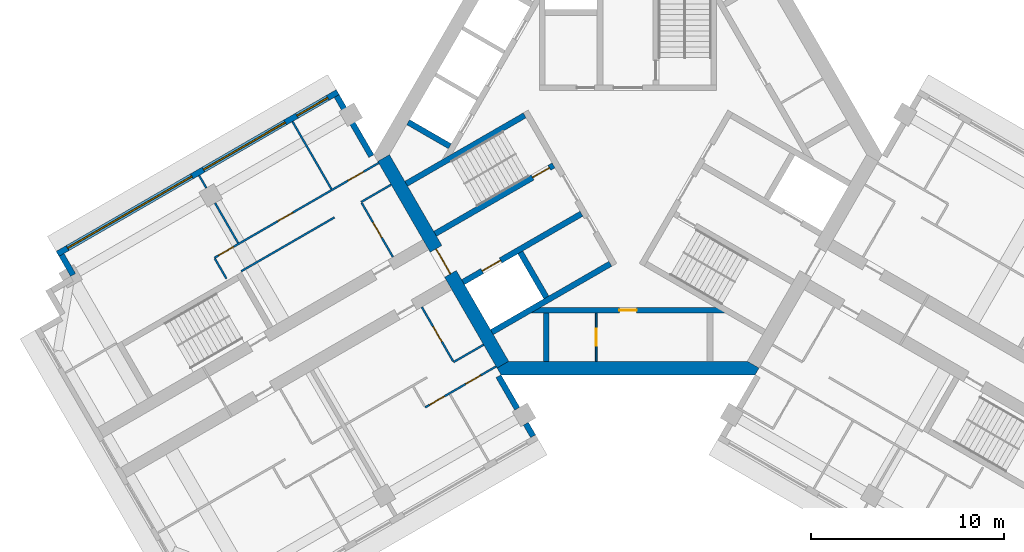
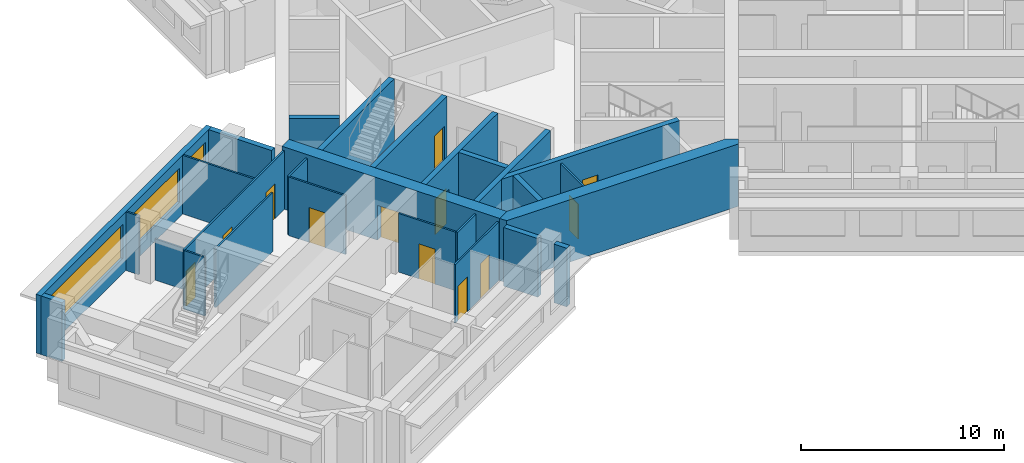
# One storey, part 3 of 10: 27 walls, 12 doors, 3 windows, 15 openings.
"""IFC4 building model written with IfcOpenShell, lengths in metres."""

from ifc_helpers import new_model, si_unit, direction, frame, frame_2d, origin, place, context, subcontext, project, spatial, polyline, rectangle, outline, extrude, material, layer, layer_set, type_object, element, fill, save


model = new_model("IFC4")

# Units and contexts
model_context = context("Model", 3, precision=1e-05, world=origin(), true_north=direction((0.0, 1.0)))
body_context = subcontext(model_context, "Body", "Model", "MODEL_VIEW")
ifc_project = project(units=[si_unit("LENGTHUNIT", "METRE"), si_unit("AREAUNIT", "SQUARE_METRE"), si_unit("VOLUMEUNIT", "CUBIC_METRE"), si_unit("PLANEANGLEUNIT", "RADIAN"), si_unit("MASSUNIT", "GRAM", prefix="KILO")], contexts=[model_context])

# Site, building, storey
site_placement = place(None, origin())
site = spatial("IfcSite", under=ifc_project, at=site_placement, CompositionType="ELEMENT")
building_placement = place(site_placement, origin())
building = spatial("IfcBuilding", under=site, at=building_placement, Name="Impinga Residences", CompositionType="ELEMENT")
storey_placement = place(building_placement, frame((0.0, 0.0, 256.0)))
storey = spatial("IfcBuildingStorey", under=building, at=storey_placement, Name="L64", CompositionType="ELEMENT", Elevation=256.0)

# Wall, opening, door
ifc_material_1 = material(Name="Concrete blockwork", Category="masonry")
ifc_layer_1 = layer(ifc_material_1, 0.10009765625)
ifc_layer_set_1 = layer_set([ifc_layer_1], Name="CP1 core room partition, blockwork 100")
wall_type_1 = type_object("IfcWallType", Name="CP1 core room partition, blockwork 100", PredefinedType="PARTITIONING", material=ifc_layer_set_1)
wall_1_placement = place(storey_placement, frame((-1.64990234375, -8.2314453125, 0.0), z_axis=(0.0, 0.0, 1.0), x_axis=(0.0, -1.0, 0.0)))
wall_1 = element("IfcWall", 1, at=wall_1_placement, inside=storey, type_object=wall_type_1, Name="Core room partition, blockwork L64:CORE:low:ZP1", PredefinedType="PARTITIONING", context=body_context, shape_type="SweptSolid", body=[
    extrude(rectangle(XDim=2.5, YDim=0.10009765625, at=frame_2d((1.25, 0.0))), origin(), (0.0, 0.0, 1.0), 3.530029296875),
])
opening_1_placement = place(wall_1_placement, frame((0.800048828125, 0.0, 0.0)))
opening_1 = element("IfcOpeningElement", 2, at=opening_1_placement, cuts=wall_1, Name="Opening D6", PredefinedType="OPENING", context=body_context, shape_type="SweptSolid", body=[
    extrude(rectangle(XDim=0.89990234375, YDim=2.10009765625, at=frame_2d((0.449951171875, 1.050048828125))), frame((0.0, 0.06005859375, 0.0), z_axis=(0.0, -1.0, 0.0), x_axis=(1.0, 0.0, 0.0)), (0.0, 0.0, 1.0), 0.1201171875),
])
ifc_material_2 = material(Name="Timber door set", Category="wood")
door_type_1 = type_object("IfcDoorType", Name="D6 riser and store door 900x2100", OperationType="SINGLE_SWING_LEFT", PredefinedType="DOOR", material=ifc_material_2)
door_1_placement = place(opening_1_placement, origin())
door_1 = element("IfcDoor", 3, at=door_1_placement, inside=storey, type_object=door_type_1, Name="Linen store door", OperationType="SINGLE_SWING_LEFT", OverallHeight=2.10009765625, OverallWidth=0.89990234375, PredefinedType="DOOR", context=body_context, shape_type="SweptSolid", body=[
    extrude(rectangle(XDim=0.89990234375, YDim=2.10009765625, at=frame_2d((0.449951171875, 1.050048828125))), frame((0.0, 0.02490234375, 0.0), z_axis=(0.0, -1.0, 0.0), x_axis=(1.0, 0.0, 0.0)), (0.0, 0.0, 1.0), 0.050048828125),
])
fill(opening_1, door_1)

# Wall
ifc_material_3 = material(Name="Terracotta rainscreen on blockwork", Category="masonry")
ifc_layer_2 = layer(ifc_material_3, 0.300048828125)
ifc_layer_set_2 = layer_set([ifc_layer_2], Name="EW1 external wall, terracotta rainscreen on blockwork 300")
wall_type_2 = type_object("IfcWallType", Name="EW1 external wall, terracotta rainscreen on blockwork 300", PredefinedType="SOLIDWALL", material=ifc_layer_set_2)
wall_2_placement = place(storey_placement, frame((-28.8193359375, -6.24658203125, 0.0), z_axis=(0.0, 0.0, 1.0), x_axis=(-0.500033551112, 0.866006032174, 0.0)))
element("IfcWall", 4, at=wall_2_placement, inside=storey, type_object=wall_type_2, Name="External wall EW1 L64", PredefinedType="SOLIDWALL", context=body_context, shape_type="SweptSolid", body=[
    extrude(rectangle(XDim=1.2001953125, YDim=0.300048828125, at=frame_2d((0.60009765625, 0.0))), origin(), (0.0, 0.0, 1.0), 3.530029296875),
])

# Wall, openings, windows
wall_3_placement = place(storey_placement, frame((-29.624267578125, -5.15234375, 0.0), z_axis=(0.0, 0.0, 1.0), x_axis=(0.86602925447, 0.499993330357, 0.0)))
wall_3 = element("IfcWall", 5, at=wall_3_placement, inside=storey, type_object=wall_type_2, Name="External wall EW1 L64", PredefinedType="SOLIDWALL", context=body_context, shape_type="SweptSolid", body=[
    extrude(rectangle(XDim=16.800048828125, YDim=0.300048828125, at=frame_2d((8.39990234375, 0.0))), origin(), (0.0, 0.0, 1.0), 3.530029296875),
])
opening_2_placement = place(wall_3_placement, frame((0.60009765625, 0.0, 0.89990234375)))
opening_2 = element("IfcOpeningElement", 6, at=opening_2_placement, cuts=wall_3, Name="Opening W7", PredefinedType="OPENING", context=body_context, shape_type="SweptSolid", body=[
    extrude(rectangle(XDim=7.449951171875, YDim=2.050048828125, at=frame_2d((3.72509765625, 1.02490234375))), frame((0.0, 0.159912109375, 0.0), z_axis=(0.0, -1.0, 0.0), x_axis=(1.0, 0.0, 0.0)), (0.0, 0.0, 1.0), 0.320068359375),
])
opening_3_placement = place(wall_3_placement, frame((8.75, 0.0, 0.89990234375)))
opening_3 = element("IfcOpeningElement", 7, at=opening_3_placement, cuts=wall_3, Name="Opening W16", PredefinedType="OPENING", context=body_context, shape_type="SweptSolid", body=[
    extrude(rectangle(XDim=4.89990234375, YDim=2.050048828125, at=frame_2d((2.449951171875, 1.02490234375))), frame((0.0, 0.159912109375, 0.0), z_axis=(0.0, -1.0, 0.0), x_axis=(1.0, 0.0, 0.0)), (0.0, 0.0, 1.0), 0.320068359375),
])
opening_4_placement = place(wall_3_placement, frame((14.35009765625, 0.0, 0.89990234375)))
opening_4 = element("IfcOpeningElement", 8, at=opening_4_placement, cuts=wall_3, Name="Opening W15", PredefinedType="OPENING", context=body_context, shape_type="SweptSolid", body=[
    extrude(rectangle(XDim=1.85009765625, YDim=2.050048828125, at=frame_2d((0.925048828125, 1.02490234375))), frame((0.0, 0.159912109375, 0.0), z_axis=(0.0, -1.0, 0.0), x_axis=(1.0, 0.0, 0.0)), (0.0, 0.0, 1.0), 0.320068359375),
])
ifc_material_4 = material(Name="Aluminium window, clear double glazing", Category="aluminium")
window_type_1 = type_object("IfcWindowType", Name="W15 ribbon window 1850x2050", PartitioningType="SINGLE_PANEL", PredefinedType="WINDOW", material=ifc_material_4)
window_1_placement = place(opening_4_placement, origin())
window_1 = element("IfcWindow", 9, at=window_1_placement, inside=storey, type_object=window_type_1, Name="Window L64", OverallHeight=2.050048828125, OverallWidth=1.85009765625, PartitioningType="SINGLE_PANEL", PredefinedType="WINDOW", context=body_context, shape_type="SweptSolid", body=[
    extrude(rectangle(XDim=1.85009765625, YDim=2.050048828125, at=frame_2d((0.925048828125, 1.02490234375))), frame((0.0, 0.030029296875, 0.0), z_axis=(0.0, -1.0, 0.0), x_axis=(1.0, 0.0, 0.0)), (0.0, 0.0, 1.0), 0.06005859375),
])
fill(opening_4, window_1)
window_type_2 = type_object("IfcWindowType", Name="W16 ribbon window 4900x2050", PartitioningType="SINGLE_PANEL", PredefinedType="WINDOW", material=ifc_material_4)
window_2_placement = place(opening_3_placement, origin())
window_2 = element("IfcWindow", 10, at=window_2_placement, inside=storey, type_object=window_type_2, Name="Window L64", OverallHeight=2.050048828125, OverallWidth=4.89990234375, PartitioningType="SINGLE_PANEL", PredefinedType="WINDOW", context=body_context, shape_type="SweptSolid", body=[
    extrude(rectangle(XDim=4.89990234375, YDim=2.050048828125, at=frame_2d((2.449951171875, 1.02490234375))), frame((0.0, 0.030029296875, 0.0), z_axis=(0.0, -1.0, 0.0), x_axis=(1.0, 0.0, 0.0)), (0.0, 0.0, 1.0), 0.06005859375),
])
fill(opening_3, window_2)
window_type_3 = type_object("IfcWindowType", Name="W7 ribbon window 7450x2050", PartitioningType="SINGLE_PANEL", PredefinedType="WINDOW", material=ifc_material_4)
window_3_placement = place(opening_2_placement, origin())
window_3 = element("IfcWindow", 11, at=window_3_placement, inside=storey, type_object=window_type_3, Name="Window L64", OverallHeight=2.050048828125, OverallWidth=7.449951171875, PartitioningType="SINGLE_PANEL", PredefinedType="WINDOW", context=body_context, shape_type="SweptSolid", body=[
    extrude(rectangle(XDim=7.449951171875, YDim=2.050048828125, at=frame_2d((3.72509765625, 1.02490234375))), frame((0.0, 0.030029296875, 0.0), z_axis=(0.0, -1.0, 0.0), x_axis=(1.0, 0.0, 0.0)), (0.0, 0.0, 1.0), 0.06005859375),
])
fill(opening_2, window_3)

# Walls
wall_4_placement = place(storey_placement, frame((-15.1298828125, 3.042724609375, 0.0), z_axis=(0.0, 0.0, 1.0), x_axis=(0.500012057535, -0.866018442252, 0.0)))
element("IfcWall", 12, at=wall_4_placement, inside=storey, type_object=wall_type_2, Name="External wall EW1 L64", PredefinedType="SOLIDWALL", context=body_context, shape_type="SweptSolid", body=[
    extrude(rectangle(XDim=3.60009765625, YDim=0.300048828125, at=frame_2d((1.800048828125, 0.0))), origin(), (0.0, 0.0, 1.0), 3.530029296875),
])
wall_5_placement = place(storey_placement, frame((-6.72998046875, -11.506591796875, 0.0), z_axis=(0.0, 0.0, 1.0), x_axis=(0.500043961785, -0.866000020948, 0.0)))
element("IfcWall", 13, at=wall_5_placement, inside=storey, type_object=wall_type_2, Name="External wall EW1 L64", PredefinedType="SOLIDWALL", context=body_context, shape_type="SweptSolid", body=[
    extrude(rectangle(XDim=1.949951171875, YDim=0.300048828125, at=frame_2d((0.97509765625, 0.0))), origin(), (0.0, 0.0, 1.0), 3.530029296875),
])
wall_6_placement = place(storey_placement, frame((-5.304931640625, -13.974609375, 0.0), z_axis=(0.0, 0.0, 1.0), x_axis=(0.499919672301, -0.866071776036, 0.0)))
element("IfcWall", 14, at=wall_6_placement, inside=storey, type_object=wall_type_2, Name="External wall EW1 L64", PredefinedType="SOLIDWALL", context=body_context, shape_type="SweptSolid", body=[
    extrude(rectangle(XDim=0.75, YDim=0.300048828125, at=frame_2d((0.375, 0.0))), origin(), (0.0, 0.0, 1.0), 3.530029296875),
])
ifc_material_5 = material(Name="Gypsum board on steel studs", Category="steel")
ifc_layer_3 = layer(ifc_material_5, 0.10009765625)
ifc_layer_set_3 = layer_set([ifc_layer_3], Name="Gypsum board on steel studs")
wall_type_3 = type_object("IfcWallType", Name="IP1 partition 100", PredefinedType="PARTITIONING", material=ifc_layer_set_3)
wall_7_placement = place(storey_placement, frame((-7.5, -9.872802734375, 0.0), z_axis=(0.0, 0.0, 1.0), x_axis=(-0.866047807691, -0.499961193289, 0.0)))
element("IfcWall", 15, at=wall_7_placement, inside=storey, type_object=wall_type_3, Name="Partition L64-WA1:DIV0", PredefinedType="PARTITIONING", context=body_context, shape_type="SweptSolid", body=[
    extrude(rectangle(XDim=1.800048828125, YDim=0.10009765625, at=frame_2d((0.89990234375, 0.0))), origin(), (0.0, 0.0, 1.0), 3.530029296875),
])

# Wall, openings, doors
wall_8_placement = place(storey_placement, frame((-6.85009765625, -10.99853515625, 0.0), z_axis=(0.0, 0.0, 1.0), x_axis=(-0.866014341725, -0.50001915956, 0.0)))
wall_8 = element("IfcWall", 16, at=wall_8_placement, inside=storey, type_object=wall_type_3, Name="Partition L64-WA1:STRIP", PredefinedType="PARTITIONING", context=body_context, shape_type="SweptSolid", body=[
    extrude(rectangle(XDim=4.249755859375, YDim=0.10009765625, at=frame_2d((2.125, 0.0))), origin(), (0.0, 0.0, 1.0), 3.530029296875),
])
opening_5_placement = place(wall_8_placement, frame((0.925048828125, 0.0, 0.0)))
opening_5 = element("IfcOpeningElement", 17, at=opening_5_placement, cuts=wall_8, Name="Opening D2", PredefinedType="OPENING", context=body_context, shape_type="SweptSolid", body=[
    extrude(rectangle(XDim=0.89990234375, YDim=2.10009765625, at=frame_2d((0.449951171875, 1.050048828125))), frame((0.0, 0.06005859375, 0.0), z_axis=(0.0, -1.0, 0.0), x_axis=(1.0, 0.0, 0.0)), (0.0, 0.0, 1.0), 0.1201171875),
])
opening_6_placement = place(wall_8_placement, frame((3.10009765625, 0.0, 0.0)))
opening_6 = element("IfcOpeningElement", 18, at=opening_6_placement, cuts=wall_8, Name="Opening D2", PredefinedType="OPENING", context=body_context, shape_type="SweptSolid", body=[
    extrude(rectangle(XDim=0.89990234375, YDim=2.10009765625, at=frame_2d((0.449951171875, 1.050048828125))), frame((0.0, 0.06005859375, 0.0), z_axis=(0.0, -1.0, 0.0), x_axis=(1.0, 0.0, 0.0)), (0.0, 0.0, 1.0), 0.1201171875),
])
door_type_2 = type_object("IfcDoorType", Name="D2 internal door 900x2100", OperationType="SINGLE_SWING_LEFT", PredefinedType="DOOR", material=ifc_material_2)
door_2_placement = place(opening_5_placement, origin())
door_2 = element("IfcDoor", 19, at=door_2_placement, inside=storey, type_object=door_type_2, Name="Apartment L64-WA1 room door", OperationType="SINGLE_SWING_LEFT", OverallHeight=2.10009765625, OverallWidth=0.89990234375, PredefinedType="DOOR", context=body_context, shape_type="SweptSolid", body=[
    extrude(rectangle(XDim=0.89990234375, YDim=2.10009765625, at=frame_2d((0.449951171875, 1.050048828125))), frame((0.0, 0.02490234375, 0.0), z_axis=(0.0, -1.0, 0.0), x_axis=(1.0, 0.0, 0.0)), (0.0, 0.0, 1.0), 0.050048828125),
])
fill(opening_5, door_2)
door_3_placement = place(opening_6_placement, origin())
door_3 = element("IfcDoor", 20, at=door_3_placement, inside=storey, type_object=door_type_2, Name="Apartment L64-WA1 room door", OperationType="SINGLE_SWING_RIGHT", OverallHeight=2.10009765625, OverallWidth=0.89990234375, PredefinedType="DOOR", context=body_context, shape_type="SweptSolid", body=[
    extrude(rectangle(XDim=0.89990234375, YDim=2.10009765625, at=frame_2d((0.449951171875, 1.050048828125))), frame((0.0, 0.02490234375, 0.0), z_axis=(0.0, -1.0, 0.0), x_axis=(1.0, 0.0, 0.0)), (0.0, 0.0, 1.0), 0.050048828125),
])
fill(opening_6, door_3)

# Wall, opening, door
wall_9_placement = place(storey_placement, frame((-10.708740234375, -7.914794921875, 0.0), z_axis=(0.0, 0.0, 1.0), x_axis=(0.499984717929, -0.866034226713, 0.0)))
wall_9 = element("IfcWall", 21, at=wall_9_placement, inside=storey, type_object=wall_type_3, Name="Partition L64-WA1:IB1", PredefinedType="PARTITIONING", context=body_context, shape_type="SweptSolid", body=[
    extrude(rectangle(XDim=3.25, YDim=0.10009765625, at=frame_2d((1.625, 0.0))), origin(), (0.0, 0.0, 1.0), 3.530029296875),
])
opening_7_placement = place(wall_9_placement, frame((1.175048828125, 0.0, 0.0)))
opening_7 = element("IfcOpeningElement", 22, at=opening_7_placement, cuts=wall_9, Name="Opening D2", PredefinedType="OPENING", context=body_context, shape_type="SweptSolid", body=[
    extrude(rectangle(XDim=0.89990234375, YDim=2.10009765625, at=frame_2d((0.449951171875, 1.050048828125))), frame((0.0, 0.06005859375, 0.0), z_axis=(0.0, -1.0, 0.0), x_axis=(1.0, 0.0, 0.0)), (0.0, 0.0, 1.0), 0.1201171875),
])
door_4_placement = place(opening_7_placement, origin())
door_4 = element("IfcDoor", 23, at=door_4_placement, inside=storey, type_object=door_type_2, Name="Apartment L64-WA1 bathroom door", OperationType="SINGLE_SWING_LEFT", OverallHeight=2.10009765625, OverallWidth=0.89990234375, PredefinedType="DOOR", context=body_context, shape_type="SweptSolid", body=[
    extrude(rectangle(XDim=0.89990234375, YDim=2.10009765625, at=frame_2d((0.449951171875, 1.050048828125))), frame((0.0, 0.02490234375, 0.0), z_axis=(0.0, -1.0, 0.0), x_axis=(1.0, 0.0, 0.0)), (0.0, 0.0, 1.0), 0.050048828125),
])
fill(opening_7, door_4)

# Walls
wall_10_placement = place(storey_placement, frame((-12.300048828125, -1.558837890625, 0.0), z_axis=(0.0, 0.0, 1.0), x_axis=(-0.866047807691, -0.499961193289, 0.0)))
element("IfcWall", 24, at=wall_10_placement, inside=storey, type_object=wall_type_3, Name="Partition L64-WF1:DIV0", PredefinedType="PARTITIONING", context=body_context, shape_type="SweptSolid", body=[
    extrude(rectangle(XDim=1.800048828125, YDim=0.10009765625, at=frame_2d((0.89990234375, 0.0))), origin(), (0.0, 0.0, 1.0), 3.530029296875),
])
wall_11_placement = place(storey_placement, frame((-15.244384765625, -3.2587890625, 0.0), z_axis=(0.0, 0.0, 1.0), x_axis=(-0.866026594901, -0.49999793692, 0.0)))
element("IfcWall", 25, at=wall_11_placement, inside=storey, type_object=wall_type_3, Name="Partition L64-WF1:DIV1", PredefinedType="PARTITIONING", context=body_context, shape_type="SweptSolid", body=[
    extrude(rectangle(XDim=5.60009765625, YDim=0.10009765625, at=frame_2d((2.800048828125, 0.0))), origin(), (0.0, 0.0, 1.0), 3.530029296875),
])

# Wall, openings, doors
wall_12_placement = place(storey_placement, frame((-12.949951171875, -0.43310546875, 0.0), z_axis=(0.0, 0.0, 1.0), x_axis=(-0.866038236991, -0.499977771575, 0.0)))
wall_12 = element("IfcWall", 26, at=wall_12_placement, inside=storey, type_object=wall_type_3, Name="Partition L64-WF1:STRIP", PredefinedType="PARTITIONING", context=body_context, shape_type="SweptSolid", body=[
    extrude(rectangle(XDim=9.85009765625, YDim=0.10009765625, at=frame_2d((4.925048828125, 0.0))), origin(), (0.0, 0.0, 1.0), 3.530029296875),
])
opening_8_placement = place(wall_12_placement, frame((0.925048828125, 0.0, 0.0)))
opening_8 = element("IfcOpeningElement", 27, at=opening_8_placement, cuts=wall_12, Name="Opening D2", PredefinedType="OPENING", context=body_context, shape_type="SweptSolid", body=[
    extrude(rectangle(XDim=0.89990234375, YDim=2.10009765625, at=frame_2d((0.449951171875, 1.050048828125))), frame((0.0, 0.06005859375, 0.0), z_axis=(0.0, -1.0, 0.0), x_axis=(1.0, 0.0, 0.0)), (0.0, 0.0, 1.0), 0.1201171875),
])
opening_9_placement = place(wall_12_placement, frame((5.14990234375, 0.0, 0.0)))
opening_9 = element("IfcOpeningElement", 28, at=opening_9_placement, cuts=wall_12, Name="Opening D2", PredefinedType="OPENING", context=body_context, shape_type="SweptSolid", body=[
    extrude(rectangle(XDim=0.89990234375, YDim=2.10009765625, at=frame_2d((0.449951171875, 1.050048828125))), frame((0.0, 0.06005859375, 0.0), z_axis=(0.0, -1.0, 0.0), x_axis=(1.0, 0.0, 0.0)), (0.0, 0.0, 1.0), 0.1201171875),
])
opening_10_placement = place(wall_12_placement, frame((8.699951171875, 0.0, 0.0)))
opening_10 = element("IfcOpeningElement", 29, at=opening_10_placement, cuts=wall_12, Name="Opening D2", PredefinedType="OPENING", context=body_context, shape_type="SweptSolid", body=[
    extrude(rectangle(XDim=0.89990234375, YDim=2.10009765625, at=frame_2d((0.449951171875, 1.050048828125))), frame((0.0, 0.06005859375, 0.0), z_axis=(0.0, -1.0, 0.0), x_axis=(1.0, 0.0, 0.0)), (0.0, 0.0, 1.0), 0.1201171875),
])
door_5_placement = place(opening_8_placement, origin())
door_5 = element("IfcDoor", 30, at=door_5_placement, inside=storey, type_object=door_type_2, Name="Apartment L64-WF1 room door", OperationType="SINGLE_SWING_LEFT", OverallHeight=2.10009765625, OverallWidth=0.89990234375, PredefinedType="DOOR", context=body_context, shape_type="SweptSolid", body=[
    extrude(rectangle(XDim=0.89990234375, YDim=2.10009765625, at=frame_2d((0.449951171875, 1.050048828125))), frame((0.0, 0.02490234375, 0.0), z_axis=(0.0, -1.0, 0.0), x_axis=(1.0, 0.0, 0.0)), (0.0, 0.0, 1.0), 0.050048828125),
])
fill(opening_8, door_5)
door_6_placement = place(opening_9_placement, origin())
door_6 = element("IfcDoor", 31, at=door_6_placement, inside=storey, type_object=door_type_2, Name="Apartment L64-WF1 room door", OperationType="SINGLE_SWING_RIGHT", OverallHeight=2.10009765625, OverallWidth=0.89990234375, PredefinedType="DOOR", context=body_context, shape_type="SweptSolid", body=[
    extrude(rectangle(XDim=0.89990234375, YDim=2.10009765625, at=frame_2d((0.449951171875, 1.050048828125))), frame((0.0, 0.02490234375, 0.0), z_axis=(0.0, -1.0, 0.0), x_axis=(1.0, 0.0, 0.0)), (0.0, 0.0, 1.0), 0.050048828125),
])
fill(opening_9, door_6)
door_7_placement = place(opening_10_placement, origin())
door_7 = element("IfcDoor", 32, at=door_7_placement, inside=storey, type_object=door_type_2, Name="Apartment L64-WF1 room door", OperationType="SINGLE_SWING_RIGHT", OverallHeight=2.10009765625, OverallWidth=0.89990234375, PredefinedType="DOOR", context=body_context, shape_type="SweptSolid", body=[
    extrude(rectangle(XDim=0.89990234375, YDim=2.10009765625, at=frame_2d((0.449951171875, 1.050048828125))), frame((0.0, 0.02490234375, 0.0), z_axis=(0.0, -1.0, 0.0), x_axis=(1.0, 0.0, 0.0)), (0.0, 0.0, 1.0), 0.050048828125),
])
fill(opening_10, door_7)

# Wall
wall_13_placement = place(storey_placement, frame((-20.85546875, -6.4404296875, 0.0), z_axis=(0.0, 0.0, 1.0), x_axis=(-0.499969057507, 0.866043267704, 0.0)))
element("IfcWall", 33, at=wall_13_placement, inside=storey, type_object=wall_type_3, Name="Partition L64-WF1:SE1", PredefinedType="PARTITIONING", context=body_context, shape_type="SweptSolid", body=[
    extrude(rectangle(XDim=1.19970703125, YDim=0.10009765625, at=frame_2d((0.599853515625, 0.0))), origin(), (0.0, 0.0, 1.0), 3.530029296875),
])

# Wall, opening, door
wall_14_placement = place(storey_placement, frame((-12.208740234375, -5.316650390625, 0.0), z_axis=(0.0, 0.0, 1.0), x_axis=(-0.500017246033, 0.866015446554, 0.0)))
wall_14 = element("IfcWall", 34, at=wall_14_placement, inside=storey, type_object=wall_type_3, Name="Partition L64-WF1:IB1", PredefinedType="PARTITIONING", context=body_context, shape_type="SweptSolid", body=[
    extrude(rectangle(XDim=3.25, YDim=0.10009765625, at=frame_2d((1.625, 0.0))), origin(), (0.0, 0.0, 1.0), 3.530029296875),
])
opening_11_placement = place(wall_14_placement, frame((1.175048828125, 0.0, 0.0)))
opening_11 = element("IfcOpeningElement", 35, at=opening_11_placement, cuts=wall_14, Name="Opening D2", PredefinedType="OPENING", context=body_context, shape_type="SweptSolid", body=[
    extrude(rectangle(XDim=0.89990234375, YDim=2.10009765625, at=frame_2d((0.449951171875, 1.050048828125))), frame((0.0, 0.06005859375, 0.0), z_axis=(0.0, -1.0, 0.0), x_axis=(1.0, 0.0, 0.0)), (0.0, 0.0, 1.0), 0.1201171875),
])
door_8_placement = place(opening_11_placement, origin())
door_8 = element("IfcDoor", 36, at=door_8_placement, inside=storey, type_object=door_type_2, Name="Apartment L64-WF1 bathroom door", OperationType="SINGLE_SWING_LEFT", OverallHeight=2.10009765625, OverallWidth=0.89990234375, PredefinedType="DOOR", context=body_context, shape_type="SweptSolid", body=[
    extrude(rectangle(XDim=0.89990234375, YDim=2.10009765625, at=frame_2d((0.449951171875, 1.050048828125))), frame((0.0, 0.02490234375, 0.0), z_axis=(0.0, -1.0, 0.0), x_axis=(1.0, 0.0, 0.0)), (0.0, 0.0, 1.0), 0.050048828125),
])
fill(opening_11, door_8)

# Walls
wall_15_placement = place(storey_placement, frame((-15.39990234375, -1.789794921875, 0.0), z_axis=(0.0, 0.0, 1.0), x_axis=(-0.499964223975, 0.866046058097, 0.0)))
element("IfcWall", 37, at=wall_15_placement, inside=storey, type_object=wall_type_3, Name="Partition L64-WF1:OB1", PredefinedType="PARTITIONING", context=body_context, shape_type="SweptSolid", body=[
    extrude(rectangle(XDim=4.050048828125, YDim=0.10009765625, at=frame_2d((2.02490234375, 0.0))), origin(), (0.0, 0.0, 1.0), 3.530029296875),
])
wall_16_placement = place(storey_placement, frame((-20.24951171875, -4.589599609375, 0.0), z_axis=(0.0, 0.0, 1.0), x_axis=(-0.500077600433, 0.865980596518, 0.0)))
element("IfcWall", 38, at=wall_16_placement, inside=storey, type_object=wall_type_3, Name="Partition L64-WF1:OB2", PredefinedType="PARTITIONING", context=body_context, shape_type="SweptSolid", body=[
    extrude(rectangle(XDim=2.39990234375, YDim=0.10009765625, at=frame_2d((1.199951171875, 0.0))), origin(), (0.0, 0.0, 1.0), 2.47998046875),
])
wall_17_placement = place(storey_placement, frame((-21.899658203125, -1.73193359375, 0.0), z_axis=(0.0, 0.0, 1.0), x_axis=(-0.499919672301, 0.866071776036, 0.0)))
element("IfcWall", 39, at=wall_17_placement, inside=storey, type_object=wall_type_3, Name="Partition L64-WF1:OB2b", PredefinedType="PARTITIONING", context=body_context, shape_type="SweptSolid", body=[
    extrude(rectangle(XDim=0.75, YDim=0.10009765625, at=frame_2d((0.375, 0.0))), origin(), (0.0, 0.0, 1.0), 3.530029296875),
])

# Wall, opening, door
ifc_material_6 = material(Name="Concrete C60/75", Category="concrete")
ifc_layer_4 = layer(ifc_material_6, 0.699951171875)
ifc_layer_set_4 = layer_set([ifc_layer_4], Name="Concrete C60/75")
wall_type_4 = type_object("IfcWallType", Name="SW3 core wall 700", PredefinedType="SHEAR", material=ifc_layer_set_4)
wall_18_placement = place(storey_placement, frame((-6.4990234375, -10.906494140625, 0.0), z_axis=(0.0, 0.0, 1.0), x_axis=(-0.499999875397, 0.866025475724, 0.0)))
wall_18 = element("IfcWall", 40, at=wall_18_placement, inside=storey, type_object=wall_type_4, Name="Core wall SW3 W:FACE L64", PredefinedType="SHEAR", context=body_context, shape_type="SweptSolid", body=[
    extrude(rectangle(XDim=12.3916015625, YDim=0.699951171875, at=frame_2d((6.19580078125, 0.0))), origin(), (0.0, 0.0, 1.0), 3.75),
])
opening_12_placement = place(wall_18_placement, frame((5.44580078125, 0.0, 0.0)))
opening_12 = element("IfcOpeningElement", 41, at=opening_12_placement, cuts=wall_18, Name="Opening D4", PredefinedType="OPENING", context=body_context, shape_type="SweptSolid", body=[
    extrude(rectangle(XDim=1.5, YDim=2.10009765625, at=frame_2d((0.75, 1.050048828125))), frame((0.0, 0.35986328125, 0.0), z_axis=(0.0, -1.0, 0.0), x_axis=(1.0, 0.0, 0.0)), (0.0, 0.0, 1.0), 0.719970703125),
])
door_type_3 = type_object("IfcDoorType", Name="D4 lobby door pair 1500x2100", OperationType="DOUBLE_DOOR_DOUBLE_SWING", PredefinedType="DOOR", material=ifc_material_2)
door_9_placement = place(opening_12_placement, origin())
door_9 = element("IfcDoor", 42, at=door_9_placement, inside=storey, type_object=door_type_3, Name="Lobby door W", OperationType="DOUBLE_DOOR_DOUBLE_SWING", OverallHeight=2.10009765625, OverallWidth=1.5, PredefinedType="DOOR", context=body_context, shape_type="SweptSolid", body=[
    extrude(rectangle(XDim=1.5, YDim=2.10009765625, at=frame_2d((0.75, 1.050048828125))), frame((0.0, 0.02490234375, 0.0), z_axis=(0.0, -1.0, 0.0), x_axis=(1.0, 0.0, 0.0)), (0.0, 0.0, 1.0), 0.050048828125),
])
fill(opening_12, door_9)

# Wall
wall_19_placement = place(storey_placement, origin())
element("IfcWall", 43, at=wall_19_placement, inside=storey, type_object=wall_type_4, Name="Core wall SW3 N:EXPOSED L64", PredefinedType="SHEAR", context=body_context, shape_type="SweptSolid", body=[
    extrude(outline(polyline([(-6.60009765625, -11.431640625), (6.60009765625, -11.431640625), (6.802001953125, -11.08154296875), (6.19580078125, -10.7314453125), (-6.19580078125, -10.7314453125), (-6.802001953125, -11.08154296875), (-6.60009765625, -11.431640625)])), origin(), (0.0, 0.0, 1.0), 3.75),
])

# Wall, opening, door
ifc_material_7 = material(Name="Concrete C70/85", Category="concrete")
ifc_layer_5 = layer(ifc_material_7, 0.300048828125)
ifc_layer_set_5 = layer_set([ifc_layer_5], Name="Concrete C70/85")
wall_type_5 = type_object("IfcWallType", Name="SW5 core inner wall, stairs, shafts and lobbies 300", PredefinedType="SHEAR", material=ifc_layer_set_5)
wall_20_placement = place(storey_placement, frame((-3.86865234375, -0.559326171875, 0.0), z_axis=(0.0, 0.0, 1.0), x_axis=(-0.866025859768, -0.499999210213, 0.0)))
wall_20 = element("IfcWall", 44, at=wall_20_placement, inside=storey, type_object=wall_type_5, Name="Core wall SW5 W:ST-IN L64", PredefinedType="SHEAR", context=body_context, shape_type="SweptSolid", body=[
    extrude(rectangle(XDim=7.1015625, YDim=0.300048828125, at=frame_2d((3.55078125, 0.0))), origin(), (0.0, 0.0, 1.0), 3.75),
])
opening_13_placement = place(wall_20_placement, frame((0.25, 0.0, 0.0)))
opening_13 = element("IfcOpeningElement", 45, at=opening_13_placement, cuts=wall_20, Name="Opening D5", PredefinedType="OPENING", context=body_context, shape_type="SweptSolid", body=[
    extrude(rectangle(XDim=1.0, YDim=2.10009765625, at=frame_2d((0.5, 1.050048828125))), frame((0.0, 0.159912109375, 0.0), z_axis=(0.0, -1.0, 0.0), x_axis=(1.0, 0.0, 0.0)), (0.0, 0.0, 1.0), 0.320068359375),
])
door_type_4 = type_object("IfcDoorType", Name="D5 stair door 1000x2100", OperationType="SINGLE_SWING_LEFT", PredefinedType="DOOR", material=ifc_material_2)
door_10_placement = place(opening_13_placement, origin())
door_10 = element("IfcDoor", 46, at=door_10_placement, inside=storey, type_object=door_type_4, Name="Stair door W", OperationType="SINGLE_SWING_LEFT", OverallHeight=2.10009765625, OverallWidth=1.0, PredefinedType="DOOR", context=body_context, shape_type="SweptSolid", body=[
    extrude(rectangle(XDim=1.0, YDim=2.10009765625, at=frame_2d((0.5, 1.050048828125))), frame((0.0, 0.02490234375, 0.0), z_axis=(0.0, -1.0, 0.0), x_axis=(1.0, 0.0, 0.0)), (0.0, 0.0, 1.0), 0.050048828125),
])
fill(opening_13, door_10)

# Wall
wall_21_placement = place(storey_placement, frame((-5.36865234375, 2.038818359375, 0.0), z_axis=(0.0, 0.0, 1.0), x_axis=(-0.866025859768, -0.499999210213, 0.0)))
element("IfcWall", 47, at=wall_21_placement, inside=storey, type_object=wall_type_5, Name="Core wall SW5 W:ST-OUT L64", PredefinedType="SHEAR", context=body_context, shape_type="SweptSolid", body=[
    extrude(rectangle(XDim=7.1015625, YDim=0.300048828125, at=frame_2d((3.55078125, 0.0))), origin(), (0.0, 0.0, 1.0), 3.75),
])

# Wall, opening, door
wall_22_placement = place(storey_placement, frame((-2.418701171875, -3.07080078125, 0.0), z_axis=(0.0, 0.0, 1.0), x_axis=(-0.866025859768, -0.499999210213, 0.0)))
wall_22 = element("IfcWall", 48, at=wall_22_placement, inside=storey, type_object=wall_type_5, Name="Core wall SW5 W:FF-IN L64", PredefinedType="SHEAR", context=body_context, shape_type="SweptSolid", body=[
    extrude(rectangle(XDim=7.1015625, YDim=0.300048828125, at=frame_2d((3.55078125, 0.0))), origin(), (0.0, 0.0, 1.0), 3.75),
])
opening_14_placement = place(wall_22_placement, frame((4.85009765625, 0.0, 0.0)))
opening_14 = element("IfcOpeningElement", 49, at=opening_14_placement, cuts=wall_22, Name="Opening LD2", PredefinedType="OPENING", context=body_context, shape_type="SweptSolid", body=[
    extrude(rectangle(XDim=1.10009765625, YDim=2.10009765625, at=frame_2d((0.550048828125, 1.050048828125))), frame((0.0, 0.159912109375, 0.0), z_axis=(0.0, -1.0, 0.0), x_axis=(1.0, 0.0, 0.0)), (0.0, 0.0, 1.0), 0.320068359375),
])
ifc_material_8 = material(Name="Steel lift landing door", Category="steel")
door_type_5 = type_object("IfcDoorType", Name="LD2 firefighting lift landing door 1100x2100", OperationType="DOUBLE_DOOR_SLIDING", PredefinedType="DOOR", material=ifc_material_8)
door_11_placement = place(opening_14_placement, origin())
door_11 = element("IfcDoor", 50, at=door_11_placement, inside=storey, type_object=door_type_5, Name="Firefighting lift landing door F2", OperationType="DOUBLE_DOOR_SLIDING", OverallHeight=2.10009765625, OverallWidth=1.10009765625, PredefinedType="DOOR", context=body_context, shape_type="SweptSolid", body=[
    extrude(rectangle(XDim=1.10009765625, YDim=2.10009765625, at=frame_2d((0.550048828125, 1.050048828125))), frame((0.0, 0.02490234375, 0.0), z_axis=(0.0, -1.0, 0.0), x_axis=(1.0, 0.0, 0.0)), (0.0, 0.0, 1.0), 0.050048828125),
])
fill(opening_14, door_11)

# Walls
wall_23_placement = place(storey_placement, frame((-0.918701171875, -5.668701171875, 0.0), z_axis=(0.0, 0.0, 1.0), x_axis=(-0.866025859768, -0.499999210213, 0.0)))
element("IfcWall", 51, at=wall_23_placement, inside=storey, type_object=wall_type_5, Name="Core wall SW5 W:FF-OUT L64", PredefinedType="SHEAR", context=body_context, shape_type="SweptSolid", body=[
    extrude(rectangle(XDim=7.1015625, YDim=0.300048828125, at=frame_2d((3.55078125, 0.0))), origin(), (0.0, 0.0, 1.0), 3.75),
])
wall_24_placement = place(storey_placement, frame((-4.2412109375, -7.413818359375, 0.0), z_axis=(0.0, 0.0, 1.0), x_axis=(-0.500048589285, 0.86599734893, 0.0)))
element("IfcWall", 52, at=wall_24_placement, inside=storey, type_object=wall_type_5, Name="Core wall SW5 W:FF-RS L64", PredefinedType="SHEAR", context=body_context, shape_type="SweptSolid", body=[
    extrude(rectangle(XDim=2.699951171875, YDim=0.300048828125, at=frame_2d((1.35009765625, 0.0))), origin(), (0.0, 0.0, 1.0), 3.75),
])

# Wall, opening, door
wall_25_placement = place(storey_placement, frame((5.09765625, -8.08154296875, 0.0), z_axis=(0.0, 0.0, 1.0), x_axis=(-1.0, 0.0, 0.0)))
wall_25 = element("IfcWall", 53, at=wall_25_placement, inside=storey, type_object=wall_type_5, Name="Core wall SW5 N:BANK-FRONT L64", PredefinedType="SHEAR", context=body_context, shape_type="SweptSolid", body=[
    extrude(rectangle(XDim=10.1953125, YDim=0.300048828125, at=frame_2d((5.09765625, 0.0))), origin(), (0.0, 0.0, 1.0), 3.75),
])
opening_15_placement = place(wall_25_placement, frame((4.647705078125, 0.0, 0.0)))
opening_15 = element("IfcOpeningElement", 54, at=opening_15_placement, cuts=wall_25, Name="Opening D6", PredefinedType="OPENING", context=body_context, shape_type="SweptSolid", body=[
    extrude(rectangle(XDim=0.89990234375, YDim=2.10009765625, at=frame_2d((0.449951171875, 1.050048828125))), frame((0.0, 0.159912109375, 0.0), z_axis=(0.0, -1.0, 0.0), x_axis=(1.0, 0.0, 0.0)), (0.0, 0.0, 1.0), 0.320068359375),
])
door_12_placement = place(opening_15_placement, origin())
door_12 = element("IfcDoor", 55, at=door_12_placement, inside=storey, type_object=door_type_1, Name="Housekeeping store door", OperationType="SINGLE_SWING_LEFT", OverallHeight=2.10009765625, OverallWidth=0.89990234375, PredefinedType="DOOR", context=body_context, shape_type="SweptSolid", body=[
    extrude(rectangle(XDim=0.89990234375, YDim=2.10009765625, at=frame_2d((0.449951171875, 1.050048828125))), frame((0.0, 0.02490234375, 0.0), z_axis=(0.0, -1.0, 0.0), x_axis=(1.0, 0.0, 0.0)), (0.0, 0.0, 1.0), 0.050048828125),
])
fill(opening_15, door_12)

# Walls
for number, where, z_axis, x_axis, name in (
    (56, (-4.25, -8.2314453125, 0.0), (0.0, 0.0, 1.0), (0.0, -1.0, 0.0), "Core wall SW5 N:BANK-R L64"),
    (57, (-9.253662109375, 0.43505859375, 0.0), (0.0, 0.0, 1.0), (-0.866022959057, 0.500004234368, 0.0), "Core wall SW5 E:BANK-L L64"),
):
    element("IfcWall", number, at=place(storey_placement, frame(where, z_axis=z_axis, x_axis=x_axis)), inside=storey, type_object=wall_type_5, Name=name, PredefinedType="SHEAR", context=body_context, shape_type="SweptSolid", body=[
        extrude(rectangle(XDim=2.5, YDim=0.300048828125, at=frame_2d((1.25, 0.0))), origin(), (0.0, 0.0, 1.0), 3.75),
    ])

save(model, "model.ifc")
